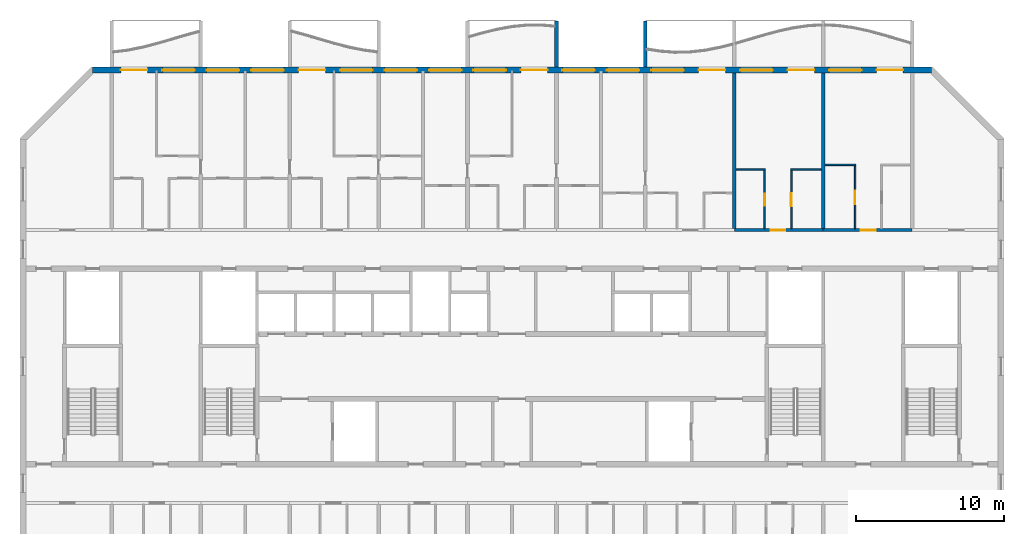
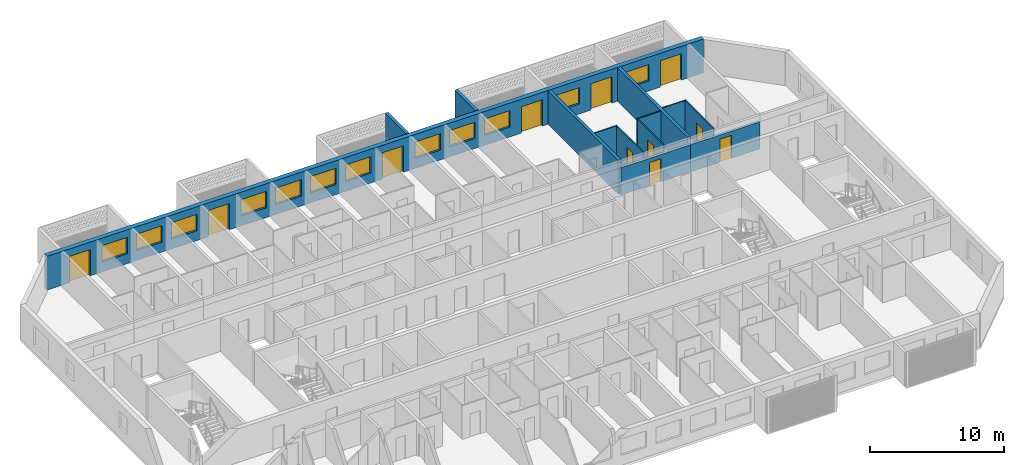
# One storey, part 10 of 26: 13 walls, 12 windows, 11 doors, 23 openings.
"""IFC4 building model written with IfcOpenShell, lengths in metres."""

from ifc_helpers import new_model, si_unit, direction, frame, frame_2d, origin, place, context, subcontext, project, spatial, polyline, rectangle, outline, extrude, source, transform, mapped, material, layer, layer_set, type_object, element, fill, save


model = new_model("IFC4")

# Units and contexts
model_context = context("Model", 3, precision=1e-05, world=origin(), true_north=direction((0.0, 1.0)))
body_context = subcontext(model_context, "Body", "Model", "MODEL_VIEW")
ifc_project = project(units=[si_unit("LENGTHUNIT", "METRE"), si_unit("AREAUNIT", "SQUARE_METRE"), si_unit("VOLUMEUNIT", "CUBIC_METRE"), si_unit("PLANEANGLEUNIT", "RADIAN"), si_unit("MASSUNIT", "GRAM", prefix="KILO")], contexts=[model_context])

# Site, building, storey
site_placement = place(None, origin())
site = spatial("IfcSite", under=ifc_project, at=site_placement, CompositionType="ELEMENT")
building_placement = place(site_placement, origin())
building = spatial("IfcBuilding", under=site, at=building_placement, Name="Poui Terraces", CompositionType="ELEMENT")
storey_placement = place(building_placement, frame((0.0, 0.0, 247.800048828125)))
storey = spatial("IfcBuildingStorey", under=building, at=storey_placement, Name="L69", CompositionType="ELEMENT", Elevation=247.800048828125)

# Wall, opening, door
ifc_material_1 = material(Name="Concrete 50 MPa", Category="concrete")
ifc_layer_1 = layer(ifc_material_1, 0.199951171875)
ifc_layer_set_1 = layer_set([ifc_layer_1], Name="Concrete 50 MPa")
wall_type_1 = type_object("IfcWallType", Name="CORRIDOR WALL 200 50MPa", PredefinedType="SHEAR", material=ifc_layer_set_1)
wall_1_placement = place(storey_placement, frame((66.0, 30.39990234375, 0.0), z_axis=(0.0, 0.0, 1.0), x_axis=(1.0, 0.0, 0.0)))
wall_1 = element("IfcWall", 1, at=wall_1_placement, inside=storey, type_object=wall_type_1, Name="CORRIDOR WALL LINE E BAY 9", PredefinedType="SHEAR", context=body_context, shape_type="SweptSolid", body=[
    extrude(rectangle(XDim=6.0, YDim=0.199951171875, at=frame_2d((3.0, 0.0))), origin(), (0.0, 0.0, 1.0), 2.47998046875),
])
opening_1_placement = place(wall_1_placement, frame((2.449951171875, 0.0, 0.0)))
opening_1 = element("IfcOpeningElement", 2, at=opening_1_placement, cuts=wall_1, Name="Opening FD30S", PredefinedType="OPENING", context=body_context, shape_type="SweptSolid", body=[
    extrude(rectangle(XDim=1.0, YDim=2.10009765625, at=frame_2d((0.5, 1.050048828125))), frame((0.0, 0.10986328125, 0.0), z_axis=(0.0, -1.0, 0.0), x_axis=(1.0, 0.0, 0.0)), (0.0, 0.0, 1.0), 0.219970703125),
])
ifc_material_2 = material(Name="Steel fire door", Category="steel")
door_type_1 = type_object("IfcDoorType", Name="FLAT ENTRANCE DOOR 1000 X 2100", OperationType="NOTDEFINED", PredefinedType="DOOR", material=ifc_material_2)
door_1_placement = place(opening_1_placement, origin())
door_1 = element("IfcDoor", 3, at=door_1_placement, inside=storey, type_object=door_type_1, Name="FLAT ENTRANCE DOOR 055", OperationType="SINGLE_SWING_LEFT", OverallHeight=2.10009765625, OverallWidth=1.0, PredefinedType="DOOR", context=body_context, shape_type="SweptSolid", body=[
    extrude(rectangle(XDim=1.0, YDim=2.10009765625, at=frame_2d((0.5, 1.050048828125))), frame((0.0, 0.02490234375, 0.0), z_axis=(0.0, -1.0, 0.0), x_axis=(1.0, 0.0, 0.0)), (0.0, 0.0, 1.0), 0.050048828125),
])
fill(opening_1, door_1)

wall_2_placement = place(storey_placement, frame((72.0, 30.39990234375, 0.0), z_axis=(0.0, 0.0, 1.0), x_axis=(1.0, 0.0, 0.0)))
wall_2 = element("IfcWall", 4, at=wall_2_placement, inside=storey, type_object=wall_type_1, Name="CORRIDOR WALL LINE E BAY 10", PredefinedType="SHEAR", context=body_context, shape_type="SweptSolid", body=[
    extrude(rectangle(XDim=6.0, YDim=0.199951171875, at=frame_2d((3.0, 0.0))), origin(), (0.0, 0.0, 1.0), 2.47998046875),
])
opening_2_placement = place(wall_2_placement, frame((2.550048828125, 0.0, 0.0)))
opening_2 = element("IfcOpeningElement", 5, at=opening_2_placement, cuts=wall_2, Name="Opening FD30S", PredefinedType="OPENING", context=body_context, shape_type="SweptSolid", body=[
    extrude(rectangle(XDim=1.0, YDim=2.10009765625, at=frame_2d((0.5, 1.050048828125))), frame((0.0, 0.10986328125, 0.0), z_axis=(0.0, -1.0, 0.0), x_axis=(1.0, 0.0, 0.0)), (0.0, 0.0, 1.0), 0.219970703125),
])
door_2_placement = place(opening_2_placement, origin())
door_2 = element("IfcDoor", 6, at=door_2_placement, inside=storey, type_object=door_type_1, Name="FLAT ENTRANCE DOOR 058", OperationType="SINGLE_SWING_RIGHT", OverallHeight=2.10009765625, OverallWidth=1.0, PredefinedType="DOOR", context=body_context, shape_type="SweptSolid", body=[
    extrude(rectangle(XDim=1.0, YDim=2.10009765625, at=frame_2d((0.5, 1.050048828125))), frame((0.0, 0.02490234375, 0.0), z_axis=(0.0, -1.0, 0.0), x_axis=(1.0, 0.0, 0.0)), (0.0, 0.0, 1.0), 0.050048828125),
])
fill(opening_2, door_2)

# Walls
ifc_layer_2 = layer(ifc_material_1, 0.25)
ifc_layer_set_2 = layer_set([ifc_layer_2], Name="Concrete 50 MPa")
wall_type_2 = type_object("IfcWallType", Name="CROSS WALL 250 50MPa", PredefinedType="SHEAR", material=ifc_layer_set_2)
for number, where, z_axis, x_axis, name in (
    (7, (66.0, 30.5, 0.0), (0.0, 0.0, 1.0), (0.0, 1.0, 0.0), "CROSS WALL LINE 12 NORTH"),
    (8, (72.0, 30.5, 0.0), (0.0, 0.0, 1.0), (0.0, 1.0, 0.0), "CROSS WALL LINE 13 NORTH"),
):
    element("IfcWall", number, at=place(storey_placement, frame(where, z_axis=z_axis, x_axis=x_axis)), inside=storey, type_object=wall_type_2, Name=name, PredefinedType="SHEAR", context=body_context, shape_type="SweptSolid", body=[
        extrude(rectangle(XDim=10.5, YDim=0.25, at=frame_2d((5.25, 0.0))), origin(), (0.0, 0.0, 1.0), 3.079833984375),
    ])

# Wall, openings, doors, windows
ifc_material_3 = material(Name="Precast concrete 40 MPa", Category="concrete")
ifc_layer_3 = layer(ifc_material_3, 0.39990234375)
ifc_layer_set_3 = layer_set([ifc_layer_3], Name="Precast concrete 40 MPa")
wall_type_3 = type_object("IfcWallType", Name="EXTERNAL WALL 400", PredefinedType="STANDARD", material=ifc_layer_set_3)
wall_3_placement = place(storey_placement, frame((79.317138671875, 41.199951171875, 0.0), z_axis=(0.0, 0.0, 1.0), x_axis=(-1.0, 0.0, 0.0)))
wall_3 = element("IfcWall", 9, at=wall_3_placement, inside=storey, type_object=wall_type_3, Name="EXTERNAL WALL N", PredefinedType="STANDARD", context=body_context, shape_type="SweptSolid", body=[
    extrude(rectangle(XDim=56.63427734375, YDim=0.39990234375, at=frame_2d((28.317138671875, 0.0))), origin(), (0.0, 0.0, 1.0), 3.079833984375),
])
opening_3_placement = place(wall_3_placement, frame((52.917236328125, 0.0, 0.0)))
opening_3 = element("IfcOpeningElement", 10, at=opening_3_placement, cuts=wall_3, Name="Opening BD1", PredefinedType="OPENING", context=body_context, shape_type="SweptSolid", body=[
    extrude(rectangle(XDim=1.800048828125, YDim=2.39990234375, at=frame_2d((0.89990234375, 1.199951171875))), frame((0.0, 0.2099609375, 0.0), z_axis=(0.0, -1.0, 0.0), x_axis=(1.0, 0.0, 0.0)), (0.0, 0.0, 1.0), 0.419921875),
])
opening_4_placement = place(wall_3_placement, frame((49.71728515625, 0.0, 0.89990234375)))
opening_4 = element("IfcOpeningElement", 11, at=opening_4_placement, cuts=wall_3, Name="Opening W1", PredefinedType="OPENING", context=body_context, shape_type="SweptSolid", body=[
    extrude(rectangle(XDim=2.199951171875, YDim=1.5, at=frame_2d((1.10009765625, 0.75))), frame((0.0, 0.2099609375, 0.0), z_axis=(0.0, -1.0, 0.0), x_axis=(1.0, 0.0, 0.0)), (0.0, 0.0, 1.0), 0.419921875),
])
opening_5_placement = place(wall_3_placement, frame((46.71728515625, 0.0, 0.89990234375)))
opening_5 = element("IfcOpeningElement", 12, at=opening_5_placement, cuts=wall_3, Name="Opening W1", PredefinedType="OPENING", context=body_context, shape_type="SweptSolid", body=[
    extrude(rectangle(XDim=2.199951171875, YDim=1.5, at=frame_2d((1.10009765625, 0.75))), frame((0.0, 0.2099609375, 0.0), z_axis=(0.0, -1.0, 0.0), x_axis=(1.0, 0.0, 0.0)), (0.0, 0.0, 1.0), 0.419921875),
])
opening_6_placement = place(wall_3_placement, frame((43.71728515625, 0.0, 0.89990234375)))
opening_6 = element("IfcOpeningElement", 13, at=opening_6_placement, cuts=wall_3, Name="Opening W1", PredefinedType="OPENING", context=body_context, shape_type="SweptSolid", body=[
    extrude(rectangle(XDim=2.199951171875, YDim=1.5, at=frame_2d((1.10009765625, 0.75))), frame((0.0, 0.2099609375, 0.0), z_axis=(0.0, -1.0, 0.0), x_axis=(1.0, 0.0, 0.0)), (0.0, 0.0, 1.0), 0.419921875),
])
opening_7_placement = place(wall_3_placement, frame((40.917236328125, 0.0, 0.0)))
opening_7 = element("IfcOpeningElement", 14, at=opening_7_placement, cuts=wall_3, Name="Opening BD1", PredefinedType="OPENING", context=body_context, shape_type="SweptSolid", body=[
    extrude(rectangle(XDim=1.800048828125, YDim=2.39990234375, at=frame_2d((0.89990234375, 1.199951171875))), frame((0.0, 0.2099609375, 0.0), z_axis=(0.0, -1.0, 0.0), x_axis=(1.0, 0.0, 0.0)), (0.0, 0.0, 1.0), 0.419921875),
])
opening_8_placement = place(wall_3_placement, frame((37.71728515625, 0.0, 0.89990234375)))
opening_8 = element("IfcOpeningElement", 15, at=opening_8_placement, cuts=wall_3, Name="Opening W1", PredefinedType="OPENING", context=body_context, shape_type="SweptSolid", body=[
    extrude(rectangle(XDim=2.199951171875, YDim=1.5, at=frame_2d((1.10009765625, 0.75))), frame((0.0, 0.2099609375, 0.0), z_axis=(0.0, -1.0, 0.0), x_axis=(1.0, 0.0, 0.0)), (0.0, 0.0, 1.0), 0.419921875),
])
opening_9_placement = place(wall_3_placement, frame((34.71728515625, 0.0, 0.89990234375)))
opening_9 = element("IfcOpeningElement", 16, at=opening_9_placement, cuts=wall_3, Name="Opening W1", PredefinedType="OPENING", context=body_context, shape_type="SweptSolid", body=[
    extrude(rectangle(XDim=2.199951171875, YDim=1.5, at=frame_2d((1.10009765625, 0.75))), frame((0.0, 0.2099609375, 0.0), z_axis=(0.0, -1.0, 0.0), x_axis=(1.0, 0.0, 0.0)), (0.0, 0.0, 1.0), 0.419921875),
])
opening_10_placement = place(wall_3_placement, frame((31.71728515625, 0.0, 0.89990234375)))
opening_10 = element("IfcOpeningElement", 17, at=opening_10_placement, cuts=wall_3, Name="Opening W1", PredefinedType="OPENING", context=body_context, shape_type="SweptSolid", body=[
    extrude(rectangle(XDim=2.199951171875, YDim=1.5, at=frame_2d((1.10009765625, 0.75))), frame((0.0, 0.2099609375, 0.0), z_axis=(0.0, -1.0, 0.0), x_axis=(1.0, 0.0, 0.0)), (0.0, 0.0, 1.0), 0.419921875),
])
opening_11_placement = place(wall_3_placement, frame((28.71728515625, 0.0, 0.89990234375)))
opening_11 = element("IfcOpeningElement", 18, at=opening_11_placement, cuts=wall_3, Name="Opening W1", PredefinedType="OPENING", context=body_context, shape_type="SweptSolid", body=[
    extrude(rectangle(XDim=2.199951171875, YDim=1.5, at=frame_2d((1.10009765625, 0.75))), frame((0.0, 0.2099609375, 0.0), z_axis=(0.0, -1.0, 0.0), x_axis=(1.0, 0.0, 0.0)), (0.0, 0.0, 1.0), 0.419921875),
])
opening_12_placement = place(wall_3_placement, frame((25.917236328125, 0.0, 0.0)))
opening_12 = element("IfcOpeningElement", 19, at=opening_12_placement, cuts=wall_3, Name="Opening BD1", PredefinedType="OPENING", context=body_context, shape_type="SweptSolid", body=[
    extrude(rectangle(XDim=1.800048828125, YDim=2.39990234375, at=frame_2d((0.89990234375, 1.199951171875))), frame((0.0, 0.2099609375, 0.0), z_axis=(0.0, -1.0, 0.0), x_axis=(1.0, 0.0, 0.0)), (0.0, 0.0, 1.0), 0.419921875),
])
opening_13_placement = place(wall_3_placement, frame((22.71728515625, 0.0, 0.89990234375)))
opening_13 = element("IfcOpeningElement", 20, at=opening_13_placement, cuts=wall_3, Name="Opening W1", PredefinedType="OPENING", context=body_context, shape_type="SweptSolid", body=[
    extrude(rectangle(XDim=2.199951171875, YDim=1.5, at=frame_2d((1.10009765625, 0.75))), frame((0.0, 0.2099609375, 0.0), z_axis=(0.0, -1.0, 0.0), x_axis=(1.0, 0.0, 0.0)), (0.0, 0.0, 1.0), 0.419921875),
])
opening_14_placement = place(wall_3_placement, frame((19.71728515625, 0.0, 0.89990234375)))
opening_14 = element("IfcOpeningElement", 21, at=opening_14_placement, cuts=wall_3, Name="Opening W1", PredefinedType="OPENING", context=body_context, shape_type="SweptSolid", body=[
    extrude(rectangle(XDim=2.199951171875, YDim=1.5, at=frame_2d((1.10009765625, 0.75))), frame((0.0, 0.2099609375, 0.0), z_axis=(0.0, -1.0, 0.0), x_axis=(1.0, 0.0, 0.0)), (0.0, 0.0, 1.0), 0.419921875),
])
opening_15_placement = place(wall_3_placement, frame((16.71728515625, 0.0, 0.89990234375)))
opening_15 = element("IfcOpeningElement", 22, at=opening_15_placement, cuts=wall_3, Name="Opening W1", PredefinedType="OPENING", context=body_context, shape_type="SweptSolid", body=[
    extrude(rectangle(XDim=2.199951171875, YDim=1.5, at=frame_2d((1.10009765625, 0.75))), frame((0.0, 0.2099609375, 0.0), z_axis=(0.0, -1.0, 0.0), x_axis=(1.0, 0.0, 0.0)), (0.0, 0.0, 1.0), 0.419921875),
])
opening_16_placement = place(wall_3_placement, frame((13.917236328125, 0.0, 0.0)))
opening_16 = element("IfcOpeningElement", 23, at=opening_16_placement, cuts=wall_3, Name="Opening BD1", PredefinedType="OPENING", context=body_context, shape_type="SweptSolid", body=[
    extrude(rectangle(XDim=1.800048828125, YDim=2.39990234375, at=frame_2d((0.89990234375, 1.199951171875))), frame((0.0, 0.2099609375, 0.0), z_axis=(0.0, -1.0, 0.0), x_axis=(1.0, 0.0, 0.0)), (0.0, 0.0, 1.0), 0.419921875),
])
opening_17_placement = place(wall_3_placement, frame((10.71728515625, 0.0, 0.89990234375)))
opening_17 = element("IfcOpeningElement", 24, at=opening_17_placement, cuts=wall_3, Name="Opening W1", PredefinedType="OPENING", context=body_context, shape_type="SweptSolid", body=[
    extrude(rectangle(XDim=2.199951171875, YDim=1.5, at=frame_2d((1.10009765625, 0.75))), frame((0.0, 0.2099609375, 0.0), z_axis=(0.0, -1.0, 0.0), x_axis=(1.0, 0.0, 0.0)), (0.0, 0.0, 1.0), 0.419921875),
])
opening_18_placement = place(wall_3_placement, frame((7.917236328125, 0.0, 0.0)))
opening_18 = element("IfcOpeningElement", 25, at=opening_18_placement, cuts=wall_3, Name="Opening BD1", PredefinedType="OPENING", context=body_context, shape_type="SweptSolid", body=[
    extrude(rectangle(XDim=1.800048828125, YDim=2.39990234375, at=frame_2d((0.89990234375, 1.199951171875))), frame((0.0, 0.2099609375, 0.0), z_axis=(0.0, -1.0, 0.0), x_axis=(1.0, 0.0, 0.0)), (0.0, 0.0, 1.0), 0.419921875),
])
opening_19_placement = place(wall_3_placement, frame((4.71728515625, 0.0, 0.89990234375)))
opening_19 = element("IfcOpeningElement", 26, at=opening_19_placement, cuts=wall_3, Name="Opening W1", PredefinedType="OPENING", context=body_context, shape_type="SweptSolid", body=[
    extrude(rectangle(XDim=2.199951171875, YDim=1.5, at=frame_2d((1.10009765625, 0.75))), frame((0.0, 0.2099609375, 0.0), z_axis=(0.0, -1.0, 0.0), x_axis=(1.0, 0.0, 0.0)), (0.0, 0.0, 1.0), 0.419921875),
])
opening_20_placement = place(wall_3_placement, frame((1.917236328125, 0.0, 0.0)))
opening_20 = element("IfcOpeningElement", 27, at=opening_20_placement, cuts=wall_3, Name="Opening BD1", PredefinedType="OPENING", context=body_context, shape_type="SweptSolid", body=[
    extrude(rectangle(XDim=1.800048828125, YDim=2.39990234375, at=frame_2d((0.89990234375, 1.199951171875))), frame((0.0, 0.2099609375, 0.0), z_axis=(0.0, -1.0, 0.0), x_axis=(1.0, 0.0, 0.0)), (0.0, 0.0, 1.0), 0.419921875),
])
ifc_material_4 = material(Name="Clear glass in aluminium frame", Category="aluminium")
door_type_2 = type_object("IfcDoorType", Name="BALCONY DOOR 1800X2400", OperationType="DOUBLE_DOOR_SLIDING", PredefinedType="DOOR", material=ifc_material_4)
door_3_placement = place(opening_3_placement, origin())
door_3 = element("IfcDoor", 28, at=door_3_placement, inside=storey, type_object=door_type_2, Name="BD1 BALCONY DOOR", OperationType="DOUBLE_DOOR_SLIDING", OverallHeight=2.39990234375, OverallWidth=1.800048828125, PredefinedType="DOOR", context=body_context, shape_type="SweptSolid", body=[
    extrude(rectangle(XDim=1.800048828125, YDim=2.39990234375, at=frame_2d((0.89990234375, 1.199951171875))), frame((0.0, 0.02490234375, 0.0), z_axis=(0.0, -1.0, 0.0), x_axis=(1.0, 0.0, 0.0)), (0.0, 0.0, 1.0), 0.050048828125),
])
fill(opening_3, door_3)
door_4_placement = place(opening_7_placement, origin())
door_4 = element("IfcDoor", 29, at=door_4_placement, inside=storey, type_object=door_type_2, Name="BD1 BALCONY DOOR", OperationType="DOUBLE_DOOR_SLIDING", OverallHeight=2.39990234375, OverallWidth=1.800048828125, PredefinedType="DOOR", context=body_context, shape_type="SweptSolid", body=[
    extrude(rectangle(XDim=1.800048828125, YDim=2.39990234375, at=frame_2d((0.89990234375, 1.199951171875))), frame((0.0, 0.02490234375, 0.0), z_axis=(0.0, -1.0, 0.0), x_axis=(1.0, 0.0, 0.0)), (0.0, 0.0, 1.0), 0.050048828125),
])
fill(opening_7, door_4)
door_5_placement = place(opening_12_placement, origin())
door_5 = element("IfcDoor", 30, at=door_5_placement, inside=storey, type_object=door_type_2, Name="BD1 BALCONY DOOR", OperationType="DOUBLE_DOOR_SLIDING", OverallHeight=2.39990234375, OverallWidth=1.800048828125, PredefinedType="DOOR", context=body_context, shape_type="SweptSolid", body=[
    extrude(rectangle(XDim=1.800048828125, YDim=2.39990234375, at=frame_2d((0.89990234375, 1.199951171875))), frame((0.0, 0.02490234375, 0.0), z_axis=(0.0, -1.0, 0.0), x_axis=(1.0, 0.0, 0.0)), (0.0, 0.0, 1.0), 0.050048828125),
])
fill(opening_12, door_5)
door_6_placement = place(opening_16_placement, origin())
door_6 = element("IfcDoor", 31, at=door_6_placement, inside=storey, type_object=door_type_2, Name="BD1 BALCONY DOOR", OperationType="DOUBLE_DOOR_SLIDING", OverallHeight=2.39990234375, OverallWidth=1.800048828125, PredefinedType="DOOR", context=body_context, shape_type="SweptSolid", body=[
    extrude(rectangle(XDim=1.800048828125, YDim=2.39990234375, at=frame_2d((0.89990234375, 1.199951171875))), frame((0.0, 0.02490234375, 0.0), z_axis=(0.0, -1.0, 0.0), x_axis=(1.0, 0.0, 0.0)), (0.0, 0.0, 1.0), 0.050048828125),
])
fill(opening_16, door_6)
door_7_placement = place(opening_18_placement, origin())
door_7 = element("IfcDoor", 32, at=door_7_placement, inside=storey, type_object=door_type_2, Name="BD1 BALCONY DOOR", OperationType="DOUBLE_DOOR_SLIDING", OverallHeight=2.39990234375, OverallWidth=1.800048828125, PredefinedType="DOOR", context=body_context, shape_type="SweptSolid", body=[
    extrude(rectangle(XDim=1.800048828125, YDim=2.39990234375, at=frame_2d((0.89990234375, 1.199951171875))), frame((0.0, 0.02490234375, 0.0), z_axis=(0.0, -1.0, 0.0), x_axis=(1.0, 0.0, 0.0)), (0.0, 0.0, 1.0), 0.050048828125),
])
fill(opening_18, door_7)
door_8_placement = place(opening_20_placement, origin())
door_8 = element("IfcDoor", 33, at=door_8_placement, inside=storey, type_object=door_type_2, Name="BD1 BALCONY DOOR", OperationType="DOUBLE_DOOR_SLIDING", OverallHeight=2.39990234375, OverallWidth=1.800048828125, PredefinedType="DOOR", context=body_context, shape_type="SweptSolid", body=[
    extrude(rectangle(XDim=1.800048828125, YDim=2.39990234375, at=frame_2d((0.89990234375, 1.199951171875))), frame((0.0, 0.02490234375, 0.0), z_axis=(0.0, -1.0, 0.0), x_axis=(1.0, 0.0, 0.0)), (0.0, 0.0, 1.0), 0.050048828125),
])
fill(opening_20, door_8)
window_type = type_object("IfcWindowType", Name="WINDOW 2200X1500", PartitioningType="DOUBLE_PANEL_HORIZONTAL", PredefinedType="WINDOW", material=ifc_material_4)
window_1_placement = place(opening_4_placement, origin())
window_1 = element("IfcWindow", 34, at=window_1_placement, inside=storey, type_object=window_type, Name="W1 WINDOW", OverallHeight=1.5, OverallWidth=2.199951171875, PartitioningType="DOUBLE_PANEL_HORIZONTAL", PredefinedType="WINDOW", context=body_context, shape_type="SweptSolid", body=[
    extrude(rectangle(XDim=2.199951171875, YDim=1.5, at=frame_2d((1.10009765625, 0.75))), frame((0.0, 0.030029296875, 0.0), z_axis=(0.0, -1.0, 0.0), x_axis=(1.0, 0.0, 0.0)), (0.0, 0.0, 1.0), 0.06005859375),
])
fill(opening_4, window_1)
window_2_placement = place(opening_5_placement, origin())
window_2 = element("IfcWindow", 35, at=window_2_placement, inside=storey, type_object=window_type, Name="W1 WINDOW", OverallHeight=1.5, OverallWidth=2.199951171875, PartitioningType="DOUBLE_PANEL_HORIZONTAL", PredefinedType="WINDOW", context=body_context, shape_type="SweptSolid", body=[
    extrude(rectangle(XDim=2.199951171875, YDim=1.5, at=frame_2d((1.10009765625, 0.75))), frame((0.0, 0.030029296875, 0.0), z_axis=(0.0, -1.0, 0.0), x_axis=(1.0, 0.0, 0.0)), (0.0, 0.0, 1.0), 0.06005859375),
])
fill(opening_5, window_2)
window_3_placement = place(opening_6_placement, origin())
window_3 = element("IfcWindow", 36, at=window_3_placement, inside=storey, type_object=window_type, Name="W1 WINDOW", OverallHeight=1.5, OverallWidth=2.199951171875, PartitioningType="DOUBLE_PANEL_HORIZONTAL", PredefinedType="WINDOW", context=body_context, shape_type="SweptSolid", body=[
    extrude(rectangle(XDim=2.199951171875, YDim=1.5, at=frame_2d((1.10009765625, 0.75))), frame((0.0, 0.030029296875, 0.0), z_axis=(0.0, -1.0, 0.0), x_axis=(1.0, 0.0, 0.0)), (0.0, 0.0, 1.0), 0.06005859375),
])
fill(opening_6, window_3)
window_4_placement = place(opening_8_placement, origin())
window_4 = element("IfcWindow", 37, at=window_4_placement, inside=storey, type_object=window_type, Name="W1 WINDOW", OverallHeight=1.5, OverallWidth=2.199951171875, PartitioningType="DOUBLE_PANEL_HORIZONTAL", PredefinedType="WINDOW", context=body_context, shape_type="SweptSolid", body=[
    extrude(rectangle(XDim=2.199951171875, YDim=1.5, at=frame_2d((1.10009765625, 0.75))), frame((0.0, 0.030029296875, 0.0), z_axis=(0.0, -1.0, 0.0), x_axis=(1.0, 0.0, 0.0)), (0.0, 0.0, 1.0), 0.06005859375),
])
fill(opening_8, window_4)
window_5_placement = place(opening_9_placement, origin())
window_5 = element("IfcWindow", 38, at=window_5_placement, inside=storey, type_object=window_type, Name="W1 WINDOW", OverallHeight=1.5, OverallWidth=2.199951171875, PartitioningType="DOUBLE_PANEL_HORIZONTAL", PredefinedType="WINDOW", context=body_context, shape_type="SweptSolid", body=[
    extrude(rectangle(XDim=2.199951171875, YDim=1.5, at=frame_2d((1.10009765625, 0.75))), frame((0.0, 0.030029296875, 0.0), z_axis=(0.0, -1.0, 0.0), x_axis=(1.0, 0.0, 0.0)), (0.0, 0.0, 1.0), 0.06005859375),
])
fill(opening_9, window_5)
window_6_placement = place(opening_10_placement, origin())
window_6 = element("IfcWindow", 39, at=window_6_placement, inside=storey, type_object=window_type, Name="W1 WINDOW", OverallHeight=1.5, OverallWidth=2.199951171875, PartitioningType="DOUBLE_PANEL_HORIZONTAL", PredefinedType="WINDOW", context=body_context, shape_type="SweptSolid", body=[
    extrude(rectangle(XDim=2.199951171875, YDim=1.5, at=frame_2d((1.10009765625, 0.75))), frame((0.0, 0.030029296875, 0.0), z_axis=(0.0, -1.0, 0.0), x_axis=(1.0, 0.0, 0.0)), (0.0, 0.0, 1.0), 0.06005859375),
])
fill(opening_10, window_6)
window_7_placement = place(opening_11_placement, origin())
window_7 = element("IfcWindow", 40, at=window_7_placement, inside=storey, type_object=window_type, Name="W1 WINDOW", OverallHeight=1.5, OverallWidth=2.199951171875, PartitioningType="DOUBLE_PANEL_HORIZONTAL", PredefinedType="WINDOW", context=body_context, shape_type="SweptSolid", body=[
    extrude(rectangle(XDim=2.199951171875, YDim=1.5, at=frame_2d((1.10009765625, 0.75))), frame((0.0, 0.030029296875, 0.0), z_axis=(0.0, -1.0, 0.0), x_axis=(1.0, 0.0, 0.0)), (0.0, 0.0, 1.0), 0.06005859375),
])
fill(opening_11, window_7)
window_8_placement = place(opening_13_placement, origin())
window_8 = element("IfcWindow", 41, at=window_8_placement, inside=storey, type_object=window_type, Name="W1 WINDOW", OverallHeight=1.5, OverallWidth=2.199951171875, PartitioningType="DOUBLE_PANEL_HORIZONTAL", PredefinedType="WINDOW", context=body_context, shape_type="SweptSolid", body=[
    extrude(rectangle(XDim=2.199951171875, YDim=1.5, at=frame_2d((1.10009765625, 0.75))), frame((0.0, 0.030029296875, 0.0), z_axis=(0.0, -1.0, 0.0), x_axis=(1.0, 0.0, 0.0)), (0.0, 0.0, 1.0), 0.06005859375),
])
fill(opening_13, window_8)
window_9_placement = place(opening_14_placement, origin())
window_9 = element("IfcWindow", 42, at=window_9_placement, inside=storey, type_object=window_type, Name="W1 WINDOW", OverallHeight=1.5, OverallWidth=2.199951171875, PartitioningType="DOUBLE_PANEL_HORIZONTAL", PredefinedType="WINDOW", context=body_context, shape_type="SweptSolid", body=[
    extrude(rectangle(XDim=2.199951171875, YDim=1.5, at=frame_2d((1.10009765625, 0.75))), frame((0.0, 0.030029296875, 0.0), z_axis=(0.0, -1.0, 0.0), x_axis=(1.0, 0.0, 0.0)), (0.0, 0.0, 1.0), 0.06005859375),
])
fill(opening_14, window_9)
window_10_placement = place(opening_15_placement, origin())
window_10 = element("IfcWindow", 43, at=window_10_placement, inside=storey, type_object=window_type, Name="W1 WINDOW", OverallHeight=1.5, OverallWidth=2.199951171875, PartitioningType="DOUBLE_PANEL_HORIZONTAL", PredefinedType="WINDOW", context=body_context, shape_type="SweptSolid", body=[
    extrude(rectangle(XDim=2.199951171875, YDim=1.5, at=frame_2d((1.10009765625, 0.75))), frame((0.0, 0.030029296875, 0.0), z_axis=(0.0, -1.0, 0.0), x_axis=(1.0, 0.0, 0.0)), (0.0, 0.0, 1.0), 0.06005859375),
])
fill(opening_15, window_10)
window_11_placement = place(opening_17_placement, origin())
window_11 = element("IfcWindow", 44, at=window_11_placement, inside=storey, type_object=window_type, Name="W1 WINDOW", OverallHeight=1.5, OverallWidth=2.199951171875, PartitioningType="DOUBLE_PANEL_HORIZONTAL", PredefinedType="WINDOW", context=body_context, shape_type="SweptSolid", body=[
    extrude(rectangle(XDim=2.199951171875, YDim=1.5, at=frame_2d((1.10009765625, 0.75))), frame((0.0, 0.030029296875, 0.0), z_axis=(0.0, -1.0, 0.0), x_axis=(1.0, 0.0, 0.0)), (0.0, 0.0, 1.0), 0.06005859375),
])
fill(opening_17, window_11)
window_12_placement = place(opening_19_placement, origin())
window_12 = element("IfcWindow", 45, at=window_12_placement, inside=storey, type_object=window_type, Name="W1 WINDOW", OverallHeight=1.5, OverallWidth=2.199951171875, PartitioningType="DOUBLE_PANEL_HORIZONTAL", PredefinedType="WINDOW", context=body_context, shape_type="SweptSolid", body=[
    extrude(rectangle(XDim=2.199951171875, YDim=1.5, at=frame_2d((1.10009765625, 0.75))), frame((0.0, 0.030029296875, 0.0), z_axis=(0.0, -1.0, 0.0), x_axis=(1.0, 0.0, 0.0)), (0.0, 0.0, 1.0), 0.06005859375),
])
fill(opening_19, window_12)

# Walls
ifc_material_5 = material(Name="Plasterboard partition")
ifc_layer_4 = layer(ifc_material_5, 0.10009765625)
ifc_layer_set_4 = layer_set([ifc_layer_4], Name="Plasterboard partition")
wall_type_4 = type_object("IfcWallType", Name="FLAT PARTITION 100", PredefinedType="PARTITIONING", material=ifc_layer_set_4)
wall_4_placement = place(storey_placement, frame((66.135009765625, 34.5, 0.0), z_axis=(0.0, 0.0, 1.0), x_axis=(1.0, 0.0, 0.0)))
element("IfcWall", 46, at=wall_4_placement, inside=storey, type_object=wall_type_4, Name="FLAT PARTITION 100", PredefinedType="PARTITIONING", context=body_context, shape_type="SweptSolid", body=[
    extrude(rectangle(XDim=1.965087890625, YDim=0.10009765625, at=frame_2d((0.982421875, 0.0))), origin(), (0.0, 0.0, 1.0), 3.079833984375),
])
for number, where, z_axis, x_axis, name in (
    (47, (69.800048828125, 34.5, 0.0), (0.0, 0.0, 1.0), (1.0, 0.0, 0.0), "FLAT PARTITION 100"),
    (48, (72.135009765625, 34.800048828125, 0.0), (0.0, 0.0, 1.0), (1.0, 0.0, 0.0), "FLAT PARTITION 100"),
):
    element("IfcWall", number, at=place(storey_placement, frame(where, z_axis=z_axis, x_axis=x_axis)), inside=storey, type_object=wall_type_4, Name=name, PredefinedType="PARTITIONING", context=body_context, shape_type="SweptSolid", body=[
        extrude(rectangle(XDim=2.06494140625, YDim=0.10009765625, at=frame_2d((1.032470703125, 0.0))), origin(), (0.0, 0.0, 1.0), 3.079833984375),
    ])

# Wall, opening, door
wall_5_placement = place(storey_placement, frame((68.050048828125, 30.510009765625, 0.0), z_axis=(0.0, 0.0, 1.0), x_axis=(0.0, 1.0, 0.0)))
wall_5 = element("IfcWall", 49, at=wall_5_placement, inside=storey, type_object=wall_type_4, Name="FLAT PARTITION 100", PredefinedType="PARTITIONING", context=body_context, shape_type="SweptSolid", body=[
    extrude(rectangle(XDim=3.93994140625, YDim=0.10009765625, at=frame_2d((1.969970703125, 0.0))), origin(), (0.0, 0.0, 1.0), 3.079833984375),
])
opening_21_placement = place(wall_5_placement, frame((1.5400390625, 0.0, 0.0)))
opening_21 = element("IfcOpeningElement", 50, at=opening_21_placement, cuts=wall_5, Name="Opening D80", PredefinedType="OPENING", context=body_context, shape_type="SweptSolid", body=[
    extrude(rectangle(XDim=0.800048828125, YDim=2.10009765625, at=frame_2d((0.39990234375, 1.050048828125))), frame((0.0, 0.06005859375, 0.0), z_axis=(0.0, -1.0, 0.0), x_axis=(1.0, 0.0, 0.0)), (0.0, 0.0, 1.0), 0.1201171875),
])
ifc_material_6 = material(Name="Solid core timber door", Category="wood")
door_type_3 = type_object("IfcDoorType", Name="BATHROOM, LAUNDRY AND STORE DOOR 800 X 2100", OperationType="NOTDEFINED", PredefinedType="DOOR", material=ifc_material_6)
door_9_placement = place(opening_21_placement, origin())
door_9 = element("IfcDoor", 51, at=door_9_placement, inside=storey, type_object=door_type_3, Name="BATHROOM, LAUNDRY AND STORE DOOR 054", OperationType="SINGLE_SWING_LEFT", OverallHeight=2.10009765625, OverallWidth=0.800048828125, PredefinedType="DOOR", context=body_context, shape_type="SweptSolid", body=[
    extrude(rectangle(XDim=0.800048828125, YDim=2.10009765625, at=frame_2d((0.39990234375, 1.050048828125))), frame((0.0, 0.02490234375, 0.0), z_axis=(0.0, -1.0, 0.0), x_axis=(1.0, 0.0, 0.0)), (0.0, 0.0, 1.0), 0.050048828125),
])
fill(opening_21, door_9)

wall_6_placement = place(storey_placement, frame((69.85009765625, 30.510009765625, 0.0), z_axis=(0.0, 0.0, 1.0), x_axis=(0.0, 1.0, 0.0)))
wall_6 = element("IfcWall", 52, at=wall_6_placement, inside=storey, type_object=wall_type_4, Name="FLAT PARTITION 100", PredefinedType="PARTITIONING", context=body_context, shape_type="SweptSolid", body=[
    extrude(rectangle(XDim=3.93994140625, YDim=0.10009765625, at=frame_2d((1.969970703125, 0.0))), origin(), (0.0, 0.0, 1.0), 3.079833984375),
])
opening_22_placement = place(wall_6_placement, frame((1.489990234375, 0.0, 0.0)))
opening_22 = element("IfcOpeningElement", 53, at=opening_22_placement, cuts=wall_6, Name="Opening D90", PredefinedType="OPENING", context=body_context, shape_type="SweptSolid", body=[
    extrude(rectangle(XDim=0.89990234375, YDim=2.10009765625, at=frame_2d((0.449951171875, 1.050048828125))), frame((0.0, 0.06005859375, 0.0), z_axis=(0.0, -1.0, 0.0), x_axis=(1.0, 0.0, 0.0)), (0.0, 0.0, 1.0), 0.1201171875),
])
door_type_4 = type_object("IfcDoorType", Name="INTERNAL DOOR 900 X 2100", OperationType="NOTDEFINED", PredefinedType="DOOR", material=ifc_material_6)
door_10_placement = place(opening_22_placement, frame((0.89990234375, 0.0, 0.0), z_axis=(0.0, 0.0, 1.0), x_axis=(-1.0, 0.0, 0.0)))
door_10 = element("IfcDoor", 54, at=door_10_placement, inside=storey, type_object=door_type_4, Name="INTERNAL DOOR 056", OperationType="SINGLE_SWING_LEFT", OverallHeight=2.10009765625, OverallWidth=0.89990234375, PredefinedType="DOOR", context=body_context, shape_type="SweptSolid", body=[
    extrude(rectangle(XDim=0.89990234375, YDim=2.10009765625, at=frame_2d((0.449951171875, 1.050048828125))), frame((0.0, 0.02490234375, 0.0), z_axis=(0.0, -1.0, 0.0), x_axis=(1.0, 0.0, 0.0)), (0.0, 0.0, 1.0), 0.050048828125),
])
fill(opening_22, door_10)

wall_7_placement = place(storey_placement, frame((74.14990234375, 30.510009765625, 0.0), z_axis=(0.0, 0.0, 1.0), x_axis=(0.0, 1.0, 0.0)))
wall_7 = element("IfcWall", 55, at=wall_7_placement, inside=storey, type_object=wall_type_4, Name="FLAT PARTITION 100", PredefinedType="PARTITIONING", context=body_context, shape_type="SweptSolid", body=[
    extrude(rectangle(XDim=4.239990234375, YDim=0.10009765625, at=frame_2d((2.1201171875, 0.0))), origin(), (0.0, 0.0, 1.0), 3.079833984375),
])
opening_23_placement = place(wall_7_placement, frame((1.639892578125, 0.0, 0.0)))
opening_23 = element("IfcOpeningElement", 56, at=opening_23_placement, cuts=wall_7, Name="Opening D90", PredefinedType="OPENING", context=body_context, shape_type="SweptSolid", body=[
    extrude(rectangle(XDim=0.89990234375, YDim=2.10009765625, at=frame_2d((0.449951171875, 1.050048828125))), frame((0.0, 0.06005859375, 0.0), z_axis=(0.0, -1.0, 0.0), x_axis=(1.0, 0.0, 0.0)), (0.0, 0.0, 1.0), 0.1201171875),
])
door_11_placement = place(opening_23_placement, origin())
door_11 = element("IfcDoor", 57, at=door_11_placement, inside=storey, type_object=door_type_4, Name="INTERNAL DOOR 057", OperationType="SINGLE_SWING_RIGHT", OverallHeight=2.10009765625, OverallWidth=0.89990234375, PredefinedType="DOOR", context=body_context, shape_type="SweptSolid", body=[
    extrude(rectangle(XDim=0.89990234375, YDim=2.10009765625, at=frame_2d((0.449951171875, 1.050048828125))), frame((0.0, 0.02490234375, 0.0), z_axis=(0.0, -1.0, 0.0), x_axis=(1.0, 0.0, 0.0)), (0.0, 0.0, 1.0), 0.050048828125),
])
fill(opening_23, door_11)

# Walls
ifc_layer_5 = layer(ifc_material_3, 0.25)
ifc_layer_set_5 = layer_set([ifc_layer_5], Name="Precast concrete 40 MPa")
wall_type_5 = type_object("IfcWallType", Name="BALCONY FIN 250", PredefinedType="STANDARD", material=ifc_layer_set_5)
shared_shape = source(origin(), body_context, "Body", "SweptSolid", [
    extrude(outline(polyline([(0.0, 0.0), (0.25, 0.0), (0.25, 3.10009765625), (0.0, 3.10009765625), (0.0, 0.0)])), origin(), (0.0, 0.0, 1.0), 3.099853515625),
])
for number, where, name in (
    (58, (53.875, 41.39990234375, 0.0), "BALCONY FIN"),
    (59, (59.875, 41.39990234375, 0.0), "BALCONY FIN"),
):
    element("IfcWall", number, at=place(storey_placement, frame(where)), inside=storey, type_object=wall_type_5, Name=name, PredefinedType="STANDARD", context=body_context, shape_type="MappedRepresentation", body=[
        mapped(shared_shape, transform((0.0, 0.0, 0.0))),
    ])

save(model, "model.ifc")
